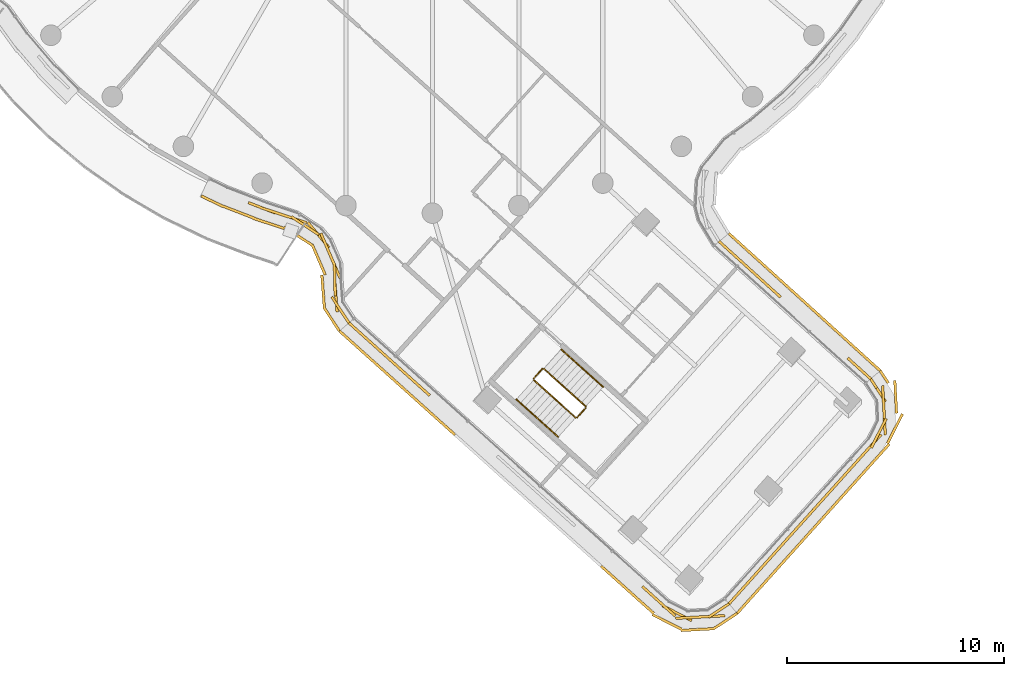
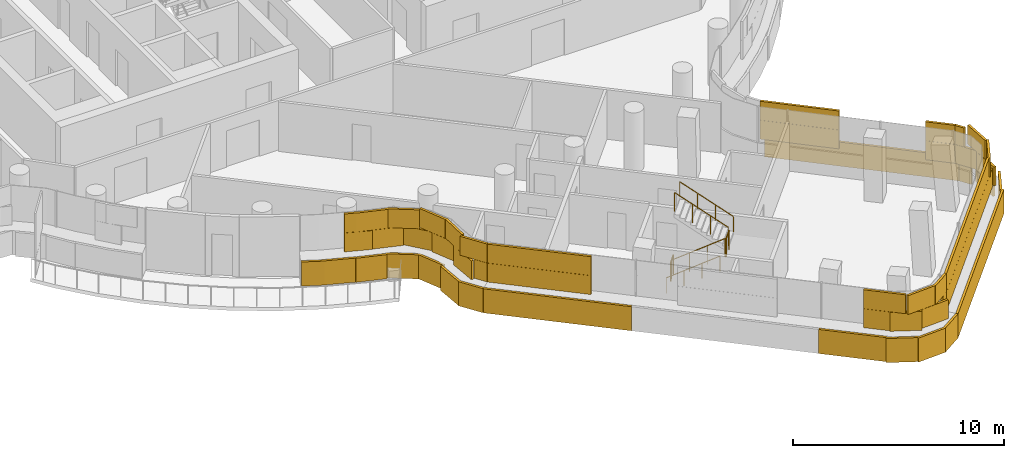
# One storey, part 25 of 31: 6 railings, 5 coverings.
"""IFC4 building model written with IfcOpenShell, lengths in metres."""

import ifcopenshell
import ifcopenshell.guid

model = None  # the IFC model being written
_history = None  # IfcOwnerHistory: only IFC2X3 demands one
_inside = {}  # id of a spatial element -> (the spatial element, [elements in it])
_under = {}  # id of a project, library or spatial element -> (it, [spatial elements below it])
_declared = {}  # id of a project -> (the project, [libraries it declares])
_typed = {}  # id of a type object -> (the type object, [elements of that type])
_made_of = {}  # id of a material, layer set ... -> (it, [elements and type objects made of it])


def new_model(schema):
    """Start an empty IFC model of exactly this schema.

    Asked for "IFC4X3", IfcOpenShell would pick the latest addendum, in which some entities
    have other attributes; the version numbers below select the first issue.
    IFC2X3 requires an IfcOwnerHistory on every rooted entity: one is made here for all.
    """
    global model, _history
    if schema == "IFC4X3":
        model = ifcopenshell.file(schema_version=(4, 3, 0, 0))
    else:
        model = ifcopenshell.file(schema=schema)
    _inside.clear()
    _under.clear()
    _declared.clear()
    _typed.clear()
    _made_of.clear()
    _history = None
    if model.schema == "IFC2X3":
        org = make("IfcOrganization", Name="unknown")
        user = make(
            "IfcPersonAndOrganization",
            ThePerson=make("IfcPerson", FamilyName="unknown"),
            TheOrganization=org,
        )
        app = make(
            "IfcApplication",
            ApplicationDeveloper=org,
            Version="unknown",
            ApplicationFullName="unknown",
            ApplicationIdentifier="unknown",
        )
        _history = make(
            "IfcOwnerHistory",
            OwningUser=user,
            OwningApplication=app,
            ChangeAction="ADDED",
            CreationDate=0,
        )
    return model


def make(cls, **values):
    """One entity of the class cls with the attributes given. An attribute that is None is left unset."""
    return model.create_entity(
        cls, **{name: value for name, value in values.items() if value is not None}
    )


def rooted(cls, **values):
    """An entity with a GlobalId (a new one), such as an element, a storey or a relation."""
    return make(cls, GlobalId=ifcopenshell.guid.new(), OwnerHistory=_history, **values)


def si_unit(unit_type, name, prefix=None):
    """IfcSIUnit, for example si_unit("LENGTHUNIT", "METRE", prefix="MILLI")."""
    return make("IfcSIUnit", UnitType=unit_type, Prefix=prefix, Name=name)


def assignment(units):
    """IfcUnitAssignment: the units of a project."""
    return None if units is None else make("IfcUnitAssignment", Units=units)


def point(xyz):
    """IfcCartesianPoint."""
    return None if xyz is None else make("IfcCartesianPoint", Coordinates=xyz)


def direction(xyz):
    """IfcDirection."""
    return None if xyz is None else make("IfcDirection", DirectionRatios=xyz)


def frame(location, z_axis=None, x_axis=None):
    """IfcAxis2Placement3D, a coordinate frame: its origin and axes. An axis left out is left unset."""
    return make(
        "IfcAxis2Placement3D",
        Location=point(location),
        Axis=direction(z_axis),
        RefDirection=direction(x_axis),
    )


def frame_2d(location, x_axis=None):
    """IfcAxis2Placement2D, a coordinate frame in the plane: its origin and x axis."""
    return make(
        "IfcAxis2Placement2D", Location=point(location), RefDirection=direction(x_axis)
    )


def origin():
    """The frame at (0, 0, 0) with its axes left unset."""
    return frame((0.0, 0.0, 0.0))


def origin_2d():
    """The frame at (0, 0) in the plane with its x axis left unset."""
    return frame_2d((0.0, 0.0))


def place(relative_to, where):
    """IfcLocalPlacement: puts the frame where relative to a parent placement (None: the world)."""
    return make(
        "IfcLocalPlacement", PlacementRelTo=relative_to, RelativePlacement=where
    )


def context(
    kind, dimensions, precision=None, world=None, true_north=None, identifier=None
):
    """IfcGeometricRepresentationContext, for example the 3D "Model" context."""
    return make(
        "IfcGeometricRepresentationContext",
        ContextIdentifier=identifier,
        ContextType=kind,
        CoordinateSpaceDimension=dimensions,
        Precision=precision,
        WorldCoordinateSystem=world,
        TrueNorth=true_north,
    )


def subcontext(parent, identifier, kind, view, scale=None):
    """IfcGeometricRepresentationSubContext, for example "Body" below "Model"."""
    return make(
        "IfcGeometricRepresentationSubContext",
        ContextIdentifier=identifier,
        ContextType=kind,
        ParentContext=parent,
        TargetScale=scale,
        TargetView=view,
    )


def project(units=None, contexts=None):
    """IfcProject with its units and contexts."""
    return rooted(
        "IfcProject",
        Name="project",
        RepresentationContexts=contexts,
        UnitsInContext=assignment(units),
    )


def spatial(cls, under=None, at=None, **own):
    """A site, building, storey or space (cls), placed at a placement, below another one or the project."""
    s = rooted(cls, ObjectPlacement=at, **own)
    if under is not None:
        _under.setdefault(under.id(), (under, []))[1].append(s)
    return s


def profile(cls, at=None, kind="AREA", **sizes):
    """A parametric profile (cls). Its sizes go by their IFC names, for example OverallWidth=200.0."""
    return make(cls, ProfileType=kind, Position=at, **sizes)


def rectangle(**sizes):
    """IfcRectangleProfileDef."""
    return profile("IfcRectangleProfileDef", **sizes)


def circle(**sizes):
    """IfcCircleProfileDef."""
    return profile("IfcCircleProfileDef", **sizes)


def extrude(swept, where, along, depth):
    """IfcExtrudedAreaSolid: the profile swept, set in the frame where, extruded along a direction by depth."""
    return make(
        "IfcExtrudedAreaSolid",
        SweptArea=swept,
        Position=where,
        ExtrudedDirection=direction(along),
        Depth=depth,
    )


def shape(context_of_items, identifier, shape_type, items):
    """IfcShapeRepresentation: the items that make up one representation, for example the "Body"."""
    return make(
        "IfcShapeRepresentation",
        ContextOfItems=context_of_items,
        RepresentationIdentifier=identifier,
        RepresentationType=shape_type,
        Items=items,
    )


def material(Name=None, Category=None):
    """IfcMaterial."""
    return make("IfcMaterial", Name=Name, Category=Category)


def layer(
    of_material, thickness, ventilated=None, Name=None, Category=None, Priority=None
):
    """IfcMaterialLayer: one layer of a wall or slab, of a material (None: an air gap)."""
    return make(
        "IfcMaterialLayer",
        Material=of_material,
        LayerThickness=thickness,
        IsVentilated=ventilated,
        Name=Name,
        Category=Category,
        Priority=Priority,
    )


def layer_set(layers, Name=None):
    """IfcMaterialLayerSet."""
    return make("IfcMaterialLayerSet", MaterialLayers=layers, LayerSetName=Name)


def made_of(thing, what):
    """Note that an element or type object is made of a material, layer set ...; save() writes the relation."""
    if what is not None:
        _made_of.setdefault(what.id(), (what, []))[1].append(thing)
    return thing


def type_object(cls, material=None, **own):
    """A type object (cls), such as IfcWallType, which elements share."""
    return made_of(rooted(cls, **own), material)


def element(
    cls,
    number,
    at=None,
    inside=None,
    cuts=None,
    type_object=None,
    material=None,
    context=None,
    identifier="Body",
    shape_type=None,
    held_by="IfcProductDefinitionShape",
    body=None,
    shapes=None,
    **own,
):
    """One element of the class cls, such as IfcWall. Its Tag is "e" and its number.

    at: its placement. inside: the storey or other place that contains it. cuts: it is an
    opening in that element (IfcRelVoidsElement). A single representation is given by context,
    identifier, shape_type and body (its items); several are given by shapes. held_by: the class
    of the entity that holds the representations. save() writes the other relations.
    """
    e = rooted(cls, Tag="e%d" % number, ObjectPlacement=at, **own)
    if body is not None:
        shapes = [shape(context, identifier, shape_type, body)]
    if shapes is not None:
        e.Representation = make(held_by, Representations=shapes)
    if inside is not None:
        _inside.setdefault(inside.id(), (inside, []))[1].append(e)
    if cuts is not None:
        rooted(
            "IfcRelVoidsElement", RelatingBuildingElement=cuts, RelatedOpeningElement=e
        )
    if type_object is not None:
        _typed.setdefault(type_object.id(), (type_object, []))[1].append(e)
    return made_of(e, material)


def aggregate(whole, parts):
    """IfcRelAggregates: a whole, such as a stair, and the parts it consists of."""
    return rooted("IfcRelAggregates", RelatingObject=whole, RelatedObjects=parts)


def save(model, path):
    """Write the relations noted so far, then the file.

    IfcRelAggregates (storeys below a building ...), IfcRelContainedInSpatialStructure (elements
    in a storey), IfcRelDefinesByType, IfcRelAssociatesMaterial and IfcRelDeclares: one each for
    every whole, place, type object, material and project.
    """
    for whole, parts in _under.values():
        aggregate(whole, parts)
    for where, things in _inside.values():
        rooted(
            "IfcRelContainedInSpatialStructure",
            RelatedElements=things,
            RelatingStructure=where,
        )
    for kind, things in _typed.values():
        rooted("IfcRelDefinesByType", RelatedObjects=things, RelatingType=kind)
    for what, things in _made_of.values():
        rooted("IfcRelAssociatesMaterial", RelatedObjects=things, RelatingMaterial=what)
    for by, libraries in _declared.values():
        rooted("IfcRelDeclares", RelatingContext=by, RelatedDefinitions=libraries)
    model.write(path)


model = new_model("IFC4")

# Units and contexts
model_context = context("Model", 3, precision=1e-05, world=origin(), true_north=direction((0.0, 1.0)))
body_context = subcontext(model_context, "Body", "Model", "MODEL_VIEW")
ifc_project = project(units=[si_unit("LENGTHUNIT", "METRE"), si_unit("AREAUNIT", "SQUARE_METRE"), si_unit("VOLUMEUNIT", "CUBIC_METRE"), si_unit("PLANEANGLEUNIT", "RADIAN"), si_unit("MASSUNIT", "GRAM", prefix="KILO")], contexts=[model_context])

# Site, building, storey
site_placement = place(None, origin())
site = spatial("IfcSite", under=ifc_project, at=site_placement, CompositionType="ELEMENT")
building_placement = place(site_placement, origin())
building = spatial("IfcBuilding", under=site, at=building_placement, Name="Tamarind Cross Interchange Tower", CompositionType="ELEMENT")
storey_placement = place(building_placement, frame((0.0, 0.0, 207.699951171875)))
storey = spatial("IfcBuildingStorey", under=building, at=storey_placement, Name="L52", CompositionType="ELEMENT", Elevation=207.699951171875)

# Railings
ifc_material_1 = material(Name="Stair guard")
railing_type_1 = type_object("IfcRailingType", Name="Stair guard", PredefinedType="GUARDRAIL", material=ifc_material_1)
railing_1_placement = place(storey_placement, frame((4.678955078125, -30.70751953125, 0.16357421875)))
element("IfcRailing", 1, at=railing_1_placement, inside=storey, type_object=railing_type_1, Name="L52 ST6 stair guard 1", PredefinedType="GUARDRAIL", context=body_context, shape_type="SweptSolid", body=[
    extrude(circle(Radius=0.02392578125, at=origin_2d()), frame((0.0, 0.0, 1.076171875), z_axis=(0.629563501916, -0.565589932231, 0.532689239251), x_axis=(0.668300406436, 0.743891502007, 0.0)), (0.0, 0.0, 1.0), 3.072021484375),
    extrude(circle(Radius=0.02099609375, at=origin_2d()), origin(), (0.0, 0.0, 1.0), 1.052001953125),
    extrude(circle(Radius=0.02099609375, at=origin_2d()), frame((0.644775390625, -0.5791015625, 0.54541015625)), (0.0, 0.0, 1.0), 1.052001953125),
    extrude(circle(Radius=0.02099609375, at=origin_2d()), frame((1.289306640625, -1.158447265625, 1.091064453125)), (0.0, 0.0, 1.0), 1.052001953125),
    extrude(circle(Radius=0.02099609375, at=origin_2d()), frame((1.93408203125, -1.737548828125, 1.636474609375)), (0.0, 0.0, 1.0), 1.052001953125),
])
railing_2_placement = place(storey_placement, frame((6.68359375, -32.44140625, 1.800048828125)))
element("IfcRailing", 2, at=railing_2_placement, inside=storey, type_object=railing_type_1, Name="L52 ST6 stair guard 2", PredefinedType="GUARDRAIL", context=body_context, shape_type="SweptSolid", body=[
    extrude(circle(Radius=0.02392578125, at=origin_2d()), frame((0.0, 0.0, 1.076171875), z_axis=(0.668244913049, 0.743941352651, 0.0), x_axis=(-0.743941352651, 0.668244913049, 0.0)), (0.0, 0.0, 1.0), 0.599853515625),
    extrude(circle(Radius=0.02099609375, at=origin_2d()), origin(), (0.0, 0.0, 1.0), 1.052001953125),
    extrude(circle(Radius=0.02099609375, at=origin_2d()), frame((0.40087890625, 0.4462890625, 0.0)), (0.0, 0.0, 1.0), 1.052001953125),
])
railing_3_placement = place(storey_placement, frame((7.080810546875, -31.924560546875, 1.963623046875)))
element("IfcRailing", 3, at=railing_3_placement, inside=storey, type_object=railing_type_1, Name="L52 ST6 stair guard 3", PredefinedType="GUARDRAIL", context=body_context, shape_type="SweptSolid", body=[
    extrude(circle(Radius=0.02392578125, at=origin_2d()), frame((0.0, 0.0, 1.076171875), z_axis=(-0.629535204476, 0.565643976958, 0.532665296087), x_axis=(-0.668352364513, -0.743844820409, 0.0)), (0.0, 0.0, 1.0), 3.072265625),
    extrude(circle(Radius=0.02099609375, at=origin_2d()), origin(), (0.0, 0.0, 1.0), 1.052001953125),
    extrude(circle(Radius=0.02099609375, at=origin_2d()), frame((-0.644775390625, 0.579345703125, 0.54541015625)), (0.0, 0.0, 1.0), 1.052001953125),
    extrude(circle(Radius=0.02099609375, at=origin_2d()), frame((-1.289306640625, 1.158447265625, 1.091064453125)), (0.0, 0.0, 1.0), 1.052001953125),
    extrude(circle(Radius=0.02099609375, at=origin_2d()), frame((-1.93408203125, 1.73779296875, 1.636474609375)), (0.0, 0.0, 1.0), 1.052001953125),
])
railing_4_placement = place(storey_placement, frame((4.675048828125, -30.636962890625, 0.0)))
element("IfcRailing", 4, at=railing_4_placement, inside=storey, type_object=railing_type_1, Name="L52 ST6 stair guard 4", PredefinedType="GUARDRAIL", context=body_context, shape_type="SweptSolid", body=[
    extrude(circle(Radius=0.02392578125, at=origin_2d()), frame((0.0, 0.0, 1.076171875), z_axis=(0.668470058281, 0.743739054496, 0.0), x_axis=(-0.743739054496, 0.668470058281, 0.0)), (0.0, 0.0, 1.0), 0.60009765625),
    extrude(circle(Radius=0.02099609375, at=origin_2d()), origin(), (0.0, 0.0, 1.0), 1.052001953125),
    extrude(circle(Radius=0.02099609375, at=origin_2d()), frame((0.401123046875, 0.4462890625, 0.0)), (0.0, 0.0, 1.0), 1.052001953125),
])
ifc_material_2 = material(Name="Stair handrail")
railing_type_2 = type_object("IfcRailingType", Name="Stair handrail", PredefinedType="HANDRAIL", material=ifc_material_2)
railing_5_placement = place(storey_placement, frame((3.876953125, -31.60009765625, 0.16357421875)))
element("IfcRailing", 5, at=railing_5_placement, inside=storey, type_object=railing_type_2, Name="L52 ST6 stair handrail 1", PredefinedType="HANDRAIL", context=body_context, shape_type="SweptSolid", body=[
    extrude(circle(Radius=0.02392578125, at=origin_2d()), frame((0.0, 0.0, 0.8759765625), z_axis=(0.629535204476, -0.565643976958, 0.532665296087), x_axis=(0.668352364513, 0.743844820409, 0.0)), (0.0, 0.0, 1.0), 3.072265625),
    extrude(circle(Radius=0.02099609375, at=origin_2d()), origin(), (0.0, 0.0, 1.0), 0.851806640625),
    extrude(circle(Radius=0.02099609375, at=origin_2d()), frame((0.644775390625, -0.579345703125, 0.54541015625)), (0.0, 0.0, 1.0), 0.851806640625),
    extrude(circle(Radius=0.02099609375, at=origin_2d()), frame((1.289306640625, -1.158447265625, 1.091064453125)), (0.0, 0.0, 1.0), 0.851806640625),
    extrude(circle(Radius=0.02099609375, at=origin_2d()), frame((1.93408203125, -1.73779296875, 1.636474609375)), (0.0, 0.0, 1.0), 0.851806640625),
])
railing_6_placement = place(storey_placement, frame((7.8828125, -31.03173828125, 1.963623046875)))
element("IfcRailing", 6, at=railing_6_placement, inside=storey, type_object=railing_type_2, Name="L52 ST6 stair handrail 2", PredefinedType="HANDRAIL", context=body_context, shape_type="SweptSolid", body=[
    extrude(circle(Radius=0.02392578125, at=origin_2d()), frame((0.0, 0.0, 0.8759765625), z_axis=(-0.629563501916, 0.565589932231, 0.532689239251), x_axis=(-0.668300406436, -0.743891502007, 0.0)), (0.0, 0.0, 1.0), 3.072021484375),
    extrude(circle(Radius=0.02099609375, at=origin_2d()), origin(), (0.0, 0.0, 1.0), 0.851806640625),
    extrude(circle(Radius=0.02099609375, at=origin_2d()), frame((-0.644775390625, 0.5791015625, 0.54541015625)), (0.0, 0.0, 1.0), 0.851806640625),
    extrude(circle(Radius=0.02099609375, at=origin_2d()), frame((-1.289306640625, 1.158447265625, 1.091064453125)), (0.0, 0.0, 1.0), 0.851806640625),
    extrude(circle(Radius=0.02099609375, at=origin_2d()), frame((-1.93408203125, 1.737548828125, 1.636474609375)), (0.0, 0.0, 1.0), 0.851806640625),
])

# Coverings
ifc_material_3 = material(Name="Terracotta", Category="masonry")
ifc_layer = layer(ifc_material_3, 0.1201171875)
ifc_layer_set = layer_set([ifc_layer], Name="Terracotta")
covering_type = type_object("IfcCoveringType", Name="Terracotta baguette screen unit", PredefinedType="MOLDING", material=ifc_layer_set)
covering_1_placement = place(storey_placement, origin())
element("IfcCovering", 7, at=covering_1_placement, inside=storey, type_object=covering_type, Name="SCR-L52-02-01", PredefinedType="MOLDING", context=body_context, shape_type="SweptSolid", body=[
    extrude(rectangle(XDim=1.352783203125, YDim=0.1201171875, at=origin_2d()), frame((-7.87158203125, -22.757080078125, 1.40380859375), z_axis=(0.0, 0.0, 1.0), x_axis=(0.933146843667, -0.359495435512, 0.0)), (0.0, 0.0, 1.0), 1.092041015625),
    extrude(rectangle(XDim=1.52001953125, YDim=0.1201171875, at=origin_2d()), frame((-6.5244140625, -23.20947265625, 1.40380859375), z_axis=(0.0, 0.0, 1.0), x_axis=(0.949687661057, -0.313198573491, 0.0)), (0.0, 0.0, 1.0), 1.092041015625),
    extrude(rectangle(XDim=1.52001953125, YDim=0.1201171875, at=origin_2d()), frame((-5.26513671875, -24.008544921875, 1.40380859375), z_axis=(0.0, 0.0, 1.0), x_axis=(0.642354788358, -0.76640741507, 0.0)), (0.0, 0.0, 1.0), 1.092041015625),
    extrude(rectangle(XDim=1.52001953125, YDim=0.1201171875, at=origin_2d()), frame((-4.5576171875, -25.315673828125, 1.40380859375), z_axis=(0.0, 0.0, 1.0), x_axis=(0.394598346457, -0.918853712499, 0.0)), (0.0, 0.0, 1.0), 1.092041015625),
    extrude(rectangle(XDim=1.52001953125, YDim=0.1201171875, at=origin_2d()), frame((-4.45947265625, -26.8076171875, 1.40380859375), z_axis=(0.0, 0.0, 1.0), x_axis=(0.075950393023, -0.997111597465, 0.0)), (0.0, 0.0, 1.0), 1.092041015625),
    extrude(rectangle(XDim=0.694091796875, YDim=0.1201171875, at=origin_2d()), frame((-4.0439453125, -27.782470703125, 1.40380859375), z_axis=(0.0, 0.0, 1.0), x_axis=(0.551827493222, -0.833958282964, 0.0)), (0.0, 0.0, 1.0), 1.092041015625),
    extrude(rectangle(XDim=0.602783203125, YDim=0.1201171875, at=origin_2d()), frame((-8.2216796875, -22.6220703125, 2.50390625), z_axis=(0.0, 0.0, 1.0), x_axis=(0.933146843667, -0.359495435512, 0.0)), (0.0, 0.0, 1.0), 1.092041015625),
    extrude(rectangle(XDim=1.52001953125, YDim=0.1201171875, at=origin_2d()), frame((-7.236572265625, -22.974609375, 2.50390625), z_axis=(0.0, 0.0, 1.0), x_axis=(0.949687661057, -0.313198573491, 0.0)), (0.0, 0.0, 1.0), 1.092041015625),
    extrude(rectangle(XDim=1.52001953125, YDim=0.1201171875, at=origin_2d()), frame((-5.87841796875, -23.58154296875, 2.50390625), z_axis=(0.0, 0.0, 1.0), x_axis=(0.835753158715, -0.549105324776, 0.0)), (0.0, 0.0, 1.0), 1.092041015625),
    extrude(rectangle(XDim=1.52001953125, YDim=0.1201171875, at=origin_2d()), frame((-4.853515625, -24.626708984375, 2.50390625), z_axis=(0.0, 0.0, 1.0), x_axis=(0.394598346457, -0.918853712499, 0.0)), (0.0, 0.0, 1.0), 1.092041015625),
    extrude(rectangle(XDim=1.52001953125, YDim=0.1201171875, at=origin_2d()), frame((-4.5107421875, -26.0595703125, 2.50390625), z_axis=(0.0, 0.0, 1.0), x_axis=(0.025437230605, -0.999676421298, 0.0)), (0.0, 0.0, 1.0), 1.092041015625),
    extrude(rectangle(XDim=1.444091796875, YDim=0.1201171875, at=origin_2d()), frame((-4.250732421875, -27.4697265625, 2.50390625), z_axis=(0.0, 0.0, 1.0), x_axis=(0.551827493222, -0.833958282964, 0.0)), (0.0, 0.0, 1.0), 1.092041015625),
    extrude(rectangle(XDim=1.111572265625, YDim=0.1201171875, at=origin_2d()), frame((-10.17529296875, -22.44873046875, 0.00390625), z_axis=(0.0, 0.0, 1.0), x_axis=(0.900272776334, -0.435326231914, 0.0)), (0.0, 0.0, 1.0), 1.39208984375),
    extrude(rectangle(XDim=1.52001953125, YDim=0.1201171875, at=origin_2d()), frame((-8.9794921875, -22.9453125, 0.00390625), z_axis=(0.0, 0.0, 1.0), x_axis=(0.933146843667, -0.359495435512, 0.0)), (0.0, 0.0, 1.0), 1.39208984375),
    extrude(rectangle(XDim=1.52001953125, YDim=0.1201171875, at=origin_2d()), frame((-7.57373046875, -23.4677734375, 0.00390625), z_axis=(0.0, 0.0, 1.0), x_axis=(0.949687661057, -0.313198573491, 0.0)), (0.0, 0.0, 1.0), 1.39208984375),
    extrude(rectangle(XDim=1.52001953125, YDim=0.1201171875, at=origin_2d()), frame((-6.205322265625, -24.053466796875, 0.00390625), z_axis=(0.0, 0.0, 1.0), x_axis=(0.835753158715, -0.549105324776, 0.0)), (0.0, 0.0, 1.0), 1.39208984375),
    extrude(rectangle(XDim=1.52001953125, YDim=0.1201171875, at=origin_2d()), frame((-5.25341796875, -25.150390625, 0.00390625), z_axis=(0.0, 0.0, 1.0), x_axis=(0.394598346457, -0.918853712499, 0.0)), (0.0, 0.0, 1.0), 1.39208984375),
    extrude(rectangle(XDim=1.52001953125, YDim=0.1201171875, at=origin_2d()), frame((-5.049560546875, -26.6171875, 0.00390625), z_axis=(0.0, 0.0, 1.0), x_axis=(0.075950393023, -0.997111597465, 0.0)), (0.0, 0.0, 1.0), 1.39208984375),
    extrude(rectangle(XDim=1.300537109375, YDim=0.1201171875, at=origin_2d()), frame((-4.652099609375, -27.9033203125, 0.00390625), z_axis=(0.0, 0.0, 1.0), x_axis=(0.551827493222, -0.833958282964, 0.0)), (0.0, 0.0, 1.0), 1.39208984375),
])
covering_2_placement = place(storey_placement, origin())
element("IfcCovering", 8, at=covering_2_placement, inside=storey, type_object=covering_type, Name="SCR-L52-03-00", PredefinedType="MOLDING", context=body_context, shape_type="SweptSolid", body=[
    extrude(rectangle(XDim=1.510009765625, YDim=0.1201171875, at=origin_2d()), frame((-3.29736328125, -28.56884765625, 1.40380859375), z_axis=(0.0, 0.0, 1.0), x_axis=(0.743854461689, -0.668341634065, 0.0)), (0.0, 0.0, 1.0), 1.092041015625),
    extrude(rectangle(XDim=1.52001953125, YDim=0.1201171875, at=origin_2d()), frame((-2.181396484375, -29.5712890625, 1.40380859375), z_axis=(0.0, 0.0, 1.0), x_axis=(0.743854461689, -0.668341634065, 0.0)), (0.0, 0.0, 1.0), 1.092041015625),
    extrude(rectangle(XDim=1.52001953125, YDim=0.1201171875, at=origin_2d()), frame((-1.065673828125, -30.573974609375, 1.40380859375), z_axis=(0.0, 0.0, 1.0), x_axis=(0.743854461689, -0.668341634065, 0.0)), (0.0, 0.0, 1.0), 1.092041015625),
    extrude(rectangle(XDim=0.519287109375, YDim=0.1201171875, at=origin_2d()), frame((-0.318359375, -31.245361328125, 1.40380859375), z_axis=(0.0, 0.0, 1.0), x_axis=(0.743854461689, -0.668341634065, 0.0)), (0.0, 0.0, 1.0), 1.092041015625),
    extrude(rectangle(XDim=0.760009765625, YDim=0.1201171875, at=origin_2d()), frame((-3.576171875, -28.318359375, 2.50390625), z_axis=(0.0, 0.0, 1.0), x_axis=(0.743854461689, -0.668341634065, 0.0)), (0.0, 0.0, 1.0), 1.092041015625),
    extrude(rectangle(XDim=1.52001953125, YDim=0.1201171875, at=origin_2d()), frame((-2.739501953125, -29.070068359375, 2.50390625), z_axis=(0.0, 0.0, 1.0), x_axis=(0.743854461689, -0.668341634065, 0.0)), (0.0, 0.0, 1.0), 1.092041015625),
    extrude(rectangle(XDim=1.52001953125, YDim=0.1201171875, at=origin_2d()), frame((-1.62353515625, -30.07275390625, 2.50390625), z_axis=(0.0, 0.0, 1.0), x_axis=(0.743854461689, -0.668341634065, 0.0)), (0.0, 0.0, 1.0), 1.092041015625),
    extrude(rectangle(XDim=1.269287109375, YDim=0.1201171875, at=origin_2d()), frame((-0.597412109375, -30.99462890625, 2.50390625), z_axis=(0.0, 0.0, 1.0), x_axis=(0.743854461689, -0.668341634065, 0.0)), (0.0, 0.0, 1.0), 1.092041015625),
    extrude(rectangle(XDim=1.510009765625, YDim=0.1201171875, at=origin_2d()), frame((-3.731689453125, -28.9501953125, 0.00390625), z_axis=(0.0, 0.0, 1.0), x_axis=(0.743854461689, -0.668341634065, 0.0)), (0.0, 0.0, 1.0), 1.39208984375),
    extrude(rectangle(XDim=1.52001953125, YDim=0.1201171875, at=origin_2d()), frame((-2.61962890625, -29.94921875, 0.00390625), z_axis=(0.0, 0.0, 1.0), x_axis=(0.743854461689, -0.668341634065, 0.0)), (0.0, 0.0, 1.0), 1.39208984375),
    extrude(rectangle(XDim=1.52001953125, YDim=0.1201171875, at=origin_2d()), frame((-1.50390625, -30.951904296875, 0.00390625), z_axis=(0.0, 0.0, 1.0), x_axis=(0.743854461689, -0.668341634065, 0.0)), (0.0, 0.0, 1.0), 1.39208984375),
    extrude(rectangle(XDim=1.52001953125, YDim=0.1201171875, at=origin_2d()), frame((-0.38818359375, -31.954345703125, 0.00390625), z_axis=(0.0, 0.0, 1.0), x_axis=(0.743854461689, -0.668341634065, 0.0)), (0.0, 0.0, 1.0), 1.39208984375),
    extrude(rectangle(XDim=1.17333984375, YDim=0.1201171875, at=origin_2d()), frame((0.5986328125, -32.841064453125, 0.00390625), z_axis=(0.0, 0.0, 1.0), x_axis=(0.743854461689, -0.668341634065, 0.0)), (0.0, 0.0, 1.0), 1.39208984375),
])
covering_3_placement = place(storey_placement, origin())
element("IfcCovering", 9, at=covering_3_placement, inside=storey, type_object=covering_type, Name="SCR-L52-03-02", PredefinedType="MOLDING", context=body_context, shape_type="SweptSolid", body=[
    extrude(rectangle(XDim=1.2900390625, YDim=0.1201171875, at=origin_2d()), frame((10.174072265625, -40.672607421875, 1.40380859375), z_axis=(0.0, 0.0, 1.0), x_axis=(0.743854461689, -0.668341634065, 0.0)), (0.0, 0.0, 1.0), 1.092041015625),
    extrude(rectangle(XDim=1.52001953125, YDim=0.1201171875, at=origin_2d()), frame((11.296142578125, -41.47265625, 1.40380859375), z_axis=(0.0, 0.0, 1.0), x_axis=(0.891487779077, -0.453044743658, 0.0)), (0.0, 0.0, 1.0), 1.092041015625),
    extrude(rectangle(XDim=1.52001953125, YDim=0.1201171875, at=origin_2d()), frame((12.743408203125, -41.6318359375, 1.40380859375), z_axis=(0.0, 0.0, 1.0), x_axis=(0.998573435673, 0.053395632479, 0.0)), (0.0, 0.0, 1.0), 1.092041015625),
    extrude(rectangle(XDim=0.387451171875, YDim=0.1201171875, at=origin_2d()), frame((13.539306640625, -41.1474609375, 1.40380859375), z_axis=(0.0, 0.0, 1.0), x_axis=(0.838092146598, 0.545528692015, 0.0)), (0.0, 0.0, 1.0), 1.092041015625),
    extrude(rectangle(XDim=0.5400390625, YDim=0.1201171875, at=origin_2d()), frame((9.89501953125, -40.421875, 2.50390625), z_axis=(0.0, 0.0, 1.0), x_axis=(0.743854461689, -0.668341634065, 0.0)), (0.0, 0.0, 1.0), 1.092041015625),
    extrude(rectangle(XDim=1.52001953125, YDim=0.1201171875, at=origin_2d()), frame((10.64990234375, -41.100341796875, 2.50390625), z_axis=(0.0, 0.0, 1.0), x_axis=(0.743854461689, -0.668341634065, 0.0)), (0.0, 0.0, 1.0), 1.092041015625),
    extrude(rectangle(XDim=1.52001953125, YDim=0.1201171875, at=origin_2d()), frame((11.99462890625, -41.671875, 2.50390625), z_axis=(0.0, 0.0, 1.0), x_axis=(0.998573435673, 0.053395632479, 0.0)), (0.0, 0.0, 1.0), 1.092041015625),
    extrude(rectangle(XDim=1.137451171875, YDim=0.1201171875, at=origin_2d()), frame((13.224853515625, -41.35205078125, 2.50390625), z_axis=(0.0, 0.0, 1.0), x_axis=(0.838092146598, 0.545528692015, 0.0)), (0.0, 0.0, 1.0), 1.092041015625),
    extrude(rectangle(XDim=0.267822265625, YDim=0.1201171875, at=origin_2d()), frame((7.88818359375, -39.390380859375, 0.00390625), z_axis=(0.0, 0.0, 1.0), x_axis=(0.743854461689, -0.668341634065, 0.0)), (0.0, 0.0, 1.0), 1.39208984375),
    extrude(rectangle(XDim=1.52001953125, YDim=0.1201171875, at=origin_2d()), frame((8.5380859375, -39.974365234375, 0.00390625), z_axis=(0.0, 0.0, 1.0), x_axis=(0.743854461689, -0.668341634065, 0.0)), (0.0, 0.0, 1.0), 1.39208984375),
    extrude(rectangle(XDim=1.52001953125, YDim=0.1201171875, at=origin_2d()), frame((9.65380859375, -40.97705078125, 0.00390625), z_axis=(0.0, 0.0, 1.0), x_axis=(0.743854461689, -0.668341634065, 0.0)), (0.0, 0.0, 1.0), 1.39208984375),
    extrude(rectangle(XDim=1.52001953125, YDim=0.1201171875, at=origin_2d()), frame((10.836181640625, -41.882568359375, 0.00390625), z_axis=(0.0, 0.0, 1.0), x_axis=(0.891487779077, -0.453044743658, 0.0)), (0.0, 0.0, 1.0), 1.39208984375),
    extrude(rectangle(XDim=1.52001953125, YDim=0.1201171875, at=origin_2d()), frame((12.242919921875, -42.233642578125, 0.00390625), z_axis=(0.0, 0.0, 1.0), x_axis=(0.998573435673, 0.053395632479, 0.0)), (0.0, 0.0, 1.0), 1.39208984375),
    extrude(rectangle(XDim=1.302734375, YDim=0.1201171875, at=origin_2d()), frame((13.528076171875, -41.839599609375, 0.00390625), z_axis=(0.0, 0.0, 1.0), x_axis=(0.838092146598, 0.545528692015, 0.0)), (0.0, 0.0, 1.0), 1.39208984375),
])
covering_4_placement = place(storey_placement, origin())
element("IfcCovering", 10, at=covering_4_placement, inside=storey, type_object=covering_type, Name="SCR-L52-04-00", PredefinedType="MOLDING", context=body_context, shape_type="SweptSolid", body=[
    extrude(rectangle(XDim=1.510009765625, YDim=0.1201171875, at=origin_2d()), frame((14.19873046875, -40.486572265625, 1.40380859375), z_axis=(0.0, 0.0, 1.0), x_axis=(0.668341634065, 0.743854461689, 0.0)), (0.0, 0.0, 1.0), 1.092041015625),
    extrude(rectangle(XDim=1.52001953125, YDim=0.1201171875, at=origin_2d()), frame((15.201171875, -39.370849609375, 1.40380859375), z_axis=(0.0, 0.0, 1.0), x_axis=(0.668341634065, 0.743854461689, 0.0)), (0.0, 0.0, 1.0), 1.092041015625),
    extrude(rectangle(XDim=1.52001953125, YDim=0.1201171875, at=origin_2d()), frame((16.20361328125, -38.255126953125, 1.40380859375), z_axis=(0.0, 0.0, 1.0), x_axis=(0.668341634065, 0.743854461689, 0.0)), (0.0, 0.0, 1.0), 1.092041015625),
    extrude(rectangle(XDim=1.52001953125, YDim=0.1201171875, at=origin_2d()), frame((17.2060546875, -37.139404296875, 1.40380859375), z_axis=(0.0, 0.0, 1.0), x_axis=(0.668341634065, 0.743854461689, 0.0)), (0.0, 0.0, 1.0), 1.092041015625),
    extrude(rectangle(XDim=1.52001953125, YDim=0.1201171875, at=origin_2d()), frame((18.208740234375, -36.0234375, 1.40380859375), z_axis=(0.0, 0.0, 1.0), x_axis=(0.668341634065, 0.743854461689, 0.0)), (0.0, 0.0, 1.0), 1.092041015625),
    extrude(rectangle(XDim=1.52001953125, YDim=0.1201171875, at=origin_2d()), frame((19.211181640625, -34.90771484375, 1.40380859375), z_axis=(0.0, 0.0, 1.0), x_axis=(0.668341634065, 0.743854461689, 0.0)), (0.0, 0.0, 1.0), 1.092041015625),
    extrude(rectangle(XDim=1.52001953125, YDim=0.1201171875, at=origin_2d()), frame((20.213623046875, -33.7919921875, 1.40380859375), z_axis=(0.0, 0.0, 1.0), x_axis=(0.668341634065, 0.743854461689, 0.0)), (0.0, 0.0, 1.0), 1.092041015625),
    extrude(rectangle(XDim=1.52001953125, YDim=0.1201171875, at=origin_2d()), frame((20.873779296875, -32.478515625, 1.40380859375), z_axis=(0.0, 0.0, 1.0), x_axis=(-0.053395632479, 0.998573435673, 0.0)), (0.0, 0.0, 1.0), 1.092041015625),
    extrude(rectangle(XDim=1.259521484375, YDim=0.1201171875, at=origin_2d()), frame((20.58056640625, -31.177490234375, 1.40380859375), z_axis=(0.0, 0.0, 1.0), x_axis=(-0.545528692015, 0.838092146598, 0.0)), (0.0, 0.0, 1.0), 1.092041015625),
    extrude(rectangle(XDim=0.760009765625, YDim=0.1201171875, at=origin_2d()), frame((13.947998046875, -40.765625, 2.50390625), z_axis=(0.0, 0.0, 1.0), x_axis=(0.668341634065, 0.743854461689, 0.0)), (0.0, 0.0, 1.0), 1.092041015625),
    extrude(rectangle(XDim=1.52001953125, YDim=0.1201171875, at=origin_2d()), frame((14.699951171875, -39.9287109375, 2.50390625), z_axis=(0.0, 0.0, 1.0), x_axis=(0.668341634065, 0.743854461689, 0.0)), (0.0, 0.0, 1.0), 1.092041015625),
    extrude(rectangle(XDim=1.52001953125, YDim=0.1201171875, at=origin_2d()), frame((15.702392578125, -38.81298828125, 2.50390625), z_axis=(0.0, 0.0, 1.0), x_axis=(0.668341634065, 0.743854461689, 0.0)), (0.0, 0.0, 1.0), 1.092041015625),
    extrude(rectangle(XDim=1.52001953125, YDim=0.1201171875, at=origin_2d()), frame((16.704833984375, -37.697265625, 2.50390625), z_axis=(0.0, 0.0, 1.0), x_axis=(0.668341634065, 0.743854461689, 0.0)), (0.0, 0.0, 1.0), 1.092041015625),
    extrude(rectangle(XDim=1.52001953125, YDim=0.1201171875, at=origin_2d()), frame((17.70751953125, -36.58154296875, 2.50390625), z_axis=(0.0, 0.0, 1.0), x_axis=(0.668341634065, 0.743854461689, 0.0)), (0.0, 0.0, 1.0), 1.092041015625),
    extrude(rectangle(XDim=1.52001953125, YDim=0.1201171875, at=origin_2d()), frame((18.7099609375, -35.465576171875, 2.50390625), z_axis=(0.0, 0.0, 1.0), x_axis=(0.668341634065, 0.743854461689, 0.0)), (0.0, 0.0, 1.0), 1.092041015625),
    extrude(rectangle(XDim=1.52001953125, YDim=0.1201171875, at=origin_2d()), frame((19.71240234375, -34.349853515625, 2.50390625), z_axis=(0.0, 0.0, 1.0), x_axis=(0.668341634065, 0.743854461689, 0.0)), (0.0, 0.0, 1.0), 1.092041015625),
    extrude(rectangle(XDim=1.52001953125, YDim=0.1201171875, at=origin_2d()), frame((20.6123046875, -33.163818359375, 2.50390625), z_axis=(0.0, 0.0, 1.0), x_axis=(0.453044743658, 0.891487779077, 0.0)), (0.0, 0.0, 1.0), 1.092041015625),
    extrude(rectangle(XDim=1.52001953125, YDim=0.1201171875, at=origin_2d()), frame((20.833740234375, -31.729736328125, 2.50390625), z_axis=(0.0, 0.0, 1.0), x_axis=(-0.053395632479, 0.998573435673, 0.0)), (0.0, 0.0, 1.0), 1.092041015625),
    extrude(rectangle(XDim=0.509521484375, YDim=0.1201171875, at=origin_2d()), frame((20.3759765625, -30.863037109375, 2.50390625), z_axis=(0.0, 0.0, 1.0), x_axis=(-0.545528692015, 0.838092146598, 0.0)), (0.0, 0.0, 1.0), 1.092041015625),
    extrude(rectangle(XDim=1.510009765625, YDim=0.1201171875, at=origin_2d()), frame((14.578369140625, -40.9228515625, 0.00390625), z_axis=(0.0, 0.0, 1.0), x_axis=(0.668341634065, 0.743854461689, 0.0)), (0.0, 0.0, 1.0), 1.39208984375),
    extrude(rectangle(XDim=1.52001953125, YDim=0.1201171875, at=origin_2d()), frame((15.57763671875, -39.810791015625, 0.00390625), z_axis=(0.0, 0.0, 1.0), x_axis=(0.668341634065, 0.743854461689, 0.0)), (0.0, 0.0, 1.0), 1.39208984375),
    extrude(rectangle(XDim=1.52001953125, YDim=0.1201171875, at=origin_2d()), frame((16.580078125, -38.69482421875, 0.00390625), z_axis=(0.0, 0.0, 1.0), x_axis=(0.668341634065, 0.743854461689, 0.0)), (0.0, 0.0, 1.0), 1.39208984375),
    extrude(rectangle(XDim=1.52001953125, YDim=0.1201171875, at=origin_2d()), frame((17.58251953125, -37.5791015625, 0.00390625), z_axis=(0.0, 0.0, 1.0), x_axis=(0.668341634065, 0.743854461689, 0.0)), (0.0, 0.0, 1.0), 1.39208984375),
    extrude(rectangle(XDim=1.52001953125, YDim=0.1201171875, at=origin_2d()), frame((18.585205078125, -36.46337890625, 0.00390625), z_axis=(0.0, 0.0, 1.0), x_axis=(0.668341634065, 0.743854461689, 0.0)), (0.0, 0.0, 1.0), 1.39208984375),
    extrude(rectangle(XDim=1.52001953125, YDim=0.1201171875, at=origin_2d()), frame((19.587646484375, -35.34765625, 0.00390625), z_axis=(0.0, 0.0, 1.0), x_axis=(0.668341634065, 0.743854461689, 0.0)), (0.0, 0.0, 1.0), 1.39208984375),
    extrude(rectangle(XDim=1.52001953125, YDim=0.1201171875, at=origin_2d()), frame((20.590087890625, -34.23193359375, 0.00390625), z_axis=(0.0, 0.0, 1.0), x_axis=(0.668341634065, 0.743854461689, 0.0)), (0.0, 0.0, 1.0), 1.39208984375),
    extrude(rectangle(XDim=1.52001953125, YDim=0.1201171875, at=origin_2d()), frame((21.361328125, -32.957275390625, 0.00390625), z_axis=(0.0, 0.0, 1.0), x_axis=(0.453044743658, 0.891487779077, 0.0)), (0.0, 0.0, 1.0), 1.39208984375),
    extrude(rectangle(XDim=1.52001953125, YDim=0.1201171875, at=origin_2d()), frame((21.395263671875, -31.483642578125, 0.00390625), z_axis=(0.0, 0.0, 1.0), x_axis=(-0.053395632479, 0.998573435673, 0.0)), (0.0, 0.0, 1.0), 1.39208984375),
    extrude(rectangle(XDim=0.675537109375, YDim=0.1201171875, at=origin_2d()), frame((20.86474609375, -30.5615234375, 0.00390625), z_axis=(0.0, 0.0, 1.0), x_axis=(-0.545528692015, 0.838092146598, 0.0)), (0.0, 0.0, 1.0), 1.39208984375),
])
covering_5_placement = place(storey_placement, origin())
element("IfcCovering", 11, at=covering_5_placement, inside=storey, type_object=covering_type, Name="SCR-L52-05-00", PredefinedType="MOLDING", context=body_context, shape_type="SweptSolid", body=[
    extrude(rectangle(XDim=1.426513671875, YDim=0.1201171875, at=origin_2d()), frame((19.71142578125, -30.174560546875, 1.40380859375), z_axis=(0.0, 0.0, 1.0), x_axis=(-0.74074145134, 0.671790221919, 0.0)), (0.0, 0.0, 1.0), 1.092041015625),
    extrude(rectangle(XDim=0.383544921875, YDim=0.1201171875, at=origin_2d()), frame((15.933837890625, -26.74853515625, 1.40380859375), z_axis=(0.0, 0.0, 1.0), x_axis=(-0.74074145134, 0.671790221919, 0.0)), (0.0, 0.0, 1.0), 1.092041015625),
    extrude(rectangle(XDim=1.52001953125, YDim=0.1201171875, at=origin_2d()), frame((15.23974609375, -26.119140625, 1.40380859375), z_axis=(0.0, 0.0, 1.0), x_axis=(-0.74074145134, 0.671790221919, 0.0)), (0.0, 0.0, 1.0), 1.092041015625),
    extrude(rectangle(XDim=1.52001953125, YDim=0.1201171875, at=origin_2d()), frame((14.128662109375, -25.111572265625, 1.40380859375), z_axis=(0.0, 0.0, 1.0), x_axis=(-0.74074145134, 0.671790221919, 0.0)), (0.0, 0.0, 1.0), 1.092041015625),
    extrude(rectangle(XDim=0.458740234375, YDim=0.1201171875, at=origin_2d()), frame((13.406982421875, -24.45703125, 1.40380859375), z_axis=(0.0, 0.0, 1.0), x_axis=(-0.74074145134, 0.671790221919, 0.0)), (0.0, 0.0, 1.0), 1.092041015625),
    extrude(rectangle(XDim=0.760009765625, YDim=0.1201171875, at=origin_2d()), frame((19.962158203125, -30.40185546875, 2.50390625), z_axis=(0.0, 0.0, 1.0), x_axis=(-0.74074145134, 0.671790221919, 0.0)), (0.0, 0.0, 1.0), 1.092041015625),
    extrude(rectangle(XDim=0.6865234375, YDim=0.1201171875, at=origin_2d()), frame((19.433837890625, -29.9228515625, 2.50390625), z_axis=(0.0, 0.0, 1.0), x_axis=(-0.74074145134, 0.671790221919, 0.0)), (0.0, 0.0, 1.0), 1.092041015625),
    extrude(rectangle(XDim=1.133544921875, YDim=0.1201171875, at=origin_2d()), frame((15.656005859375, -26.49658203125, 2.50390625), z_axis=(0.0, 0.0, 1.0), x_axis=(-0.74074145134, 0.671790221919, 0.0)), (0.0, 0.0, 1.0), 1.092041015625),
    extrude(rectangle(XDim=1.52001953125, YDim=0.1201171875, at=origin_2d()), frame((14.684326171875, -25.615478515625, 2.50390625), z_axis=(0.0, 0.0, 1.0), x_axis=(-0.74074145134, 0.671790221919, 0.0)), (0.0, 0.0, 1.0), 1.092041015625),
    extrude(rectangle(XDim=1.208740234375, YDim=0.1201171875, at=origin_2d()), frame((13.684814453125, -24.708984375, 2.50390625), z_axis=(0.0, 0.0, 1.0), x_axis=(-0.74074145134, 0.671790221919, 0.0)), (0.0, 0.0, 1.0), 1.092041015625),
    extrude(rectangle(XDim=1.510009765625, YDim=0.1201171875, at=origin_2d()), frame((20.12109375, -29.771240234375, 0.00390625), z_axis=(0.0, 0.0, 1.0), x_axis=(-0.74074145134, 0.671790221919, 0.0)), (0.0, 0.0, 1.0), 1.39208984375),
    extrude(rectangle(XDim=1.52001953125, YDim=0.1201171875, at=origin_2d()), frame((19.013671875, -28.766845703125, 0.00390625), z_axis=(0.0, 0.0, 1.0), x_axis=(-0.74074145134, 0.671790221919, 0.0)), (0.0, 0.0, 1.0), 1.39208984375),
    extrude(rectangle(XDim=1.52001953125, YDim=0.1201171875, at=origin_2d()), frame((17.902587890625, -27.75927734375, 0.00390625), z_axis=(0.0, 0.0, 1.0), x_axis=(-0.74074145134, 0.671790221919, 0.0)), (0.0, 0.0, 1.0), 1.39208984375),
    extrude(rectangle(XDim=1.52001953125, YDim=0.1201171875, at=origin_2d()), frame((16.79150390625, -26.75146484375, 0.00390625), z_axis=(0.0, 0.0, 1.0), x_axis=(-0.74074145134, 0.671790221919, 0.0)), (0.0, 0.0, 1.0), 1.39208984375),
    extrude(rectangle(XDim=1.52001953125, YDim=0.1201171875, at=origin_2d()), frame((15.680419921875, -25.743896484375, 0.00390625), z_axis=(0.0, 0.0, 1.0), x_axis=(-0.74074145134, 0.671790221919, 0.0)), (0.0, 0.0, 1.0), 1.39208984375),
    extrude(rectangle(XDim=1.52001953125, YDim=0.1201171875, at=origin_2d()), frame((14.5693359375, -24.736083984375, 0.00390625), z_axis=(0.0, 0.0, 1.0), x_axis=(-0.74074145134, 0.671790221919, 0.0)), (0.0, 0.0, 1.0), 1.39208984375),
    extrude(rectangle(XDim=0.447998046875, YDim=0.1201171875, at=origin_2d()), frame((13.855224609375, -24.088623046875, 0.00390625), z_axis=(0.0, 0.0, 1.0), x_axis=(-0.74074145134, 0.671790221919, 0.0)), (0.0, 0.0, 1.0), 1.39208984375),
])

save(model, "model.ifc")
